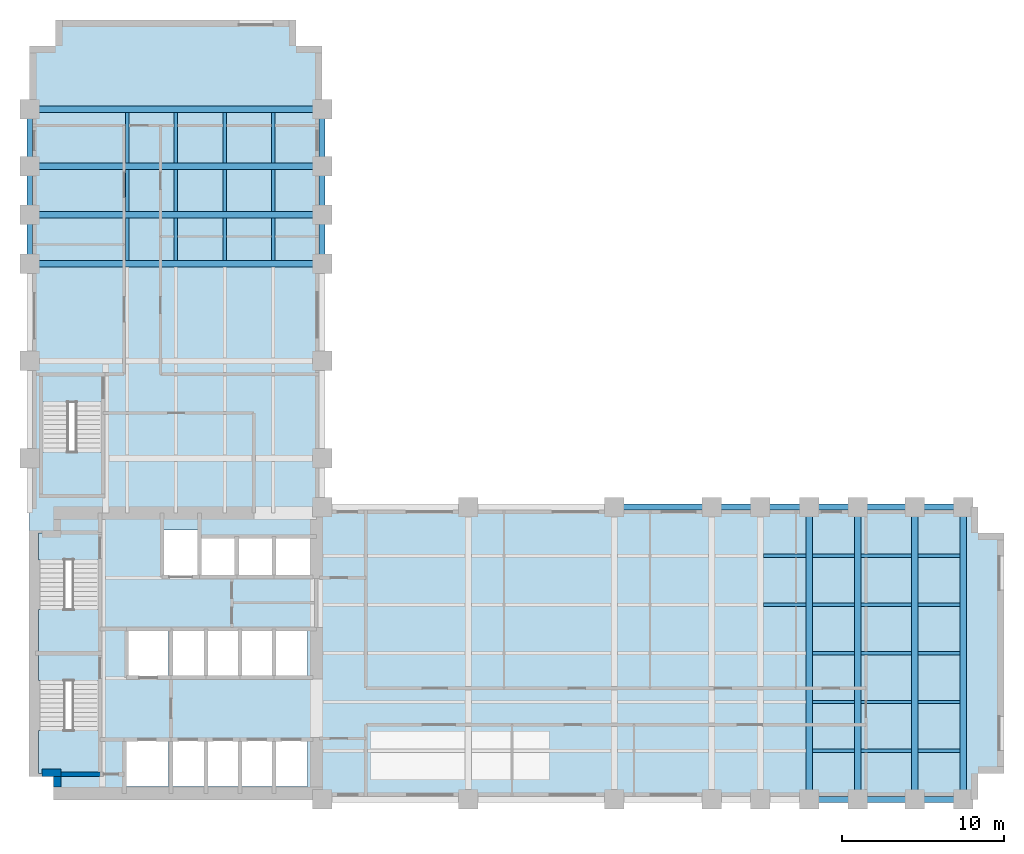
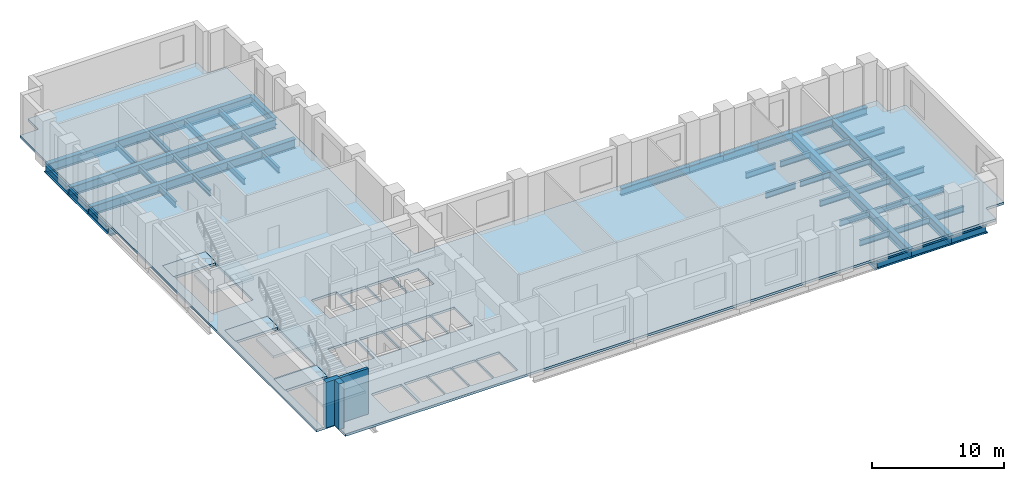
# One storey, part 2 of 7: 52 beams, 7 slabs, 3 walls, 3 elements without a shape of their own.
"""IFC4 building model written with IfcOpenShell, lengths in metres."""

from ifc_helpers import new_model, si_unit, direction, frame, frame_2d, origin, origin_2d, place, context, subcontext, project, spatial, polyline, rectangle, i_section, outline, extrude, material, layer, layer_set, material_profile, profile_set, type_object, element, aggregate, save


model = new_model("IFC4")

# Units and contexts
model_context = context("Model", 3, precision=1e-05, world=origin(), true_north=direction((0.0, 1.0)))
body_context = subcontext(model_context, "Body", "Model", "MODEL_VIEW")
ifc_project = project(units=[si_unit("LENGTHUNIT", "METRE"), si_unit("AREAUNIT", "SQUARE_METRE"), si_unit("VOLUMEUNIT", "CUBIC_METRE"), si_unit("PLANEANGLEUNIT", "RADIAN"), si_unit("MASSUNIT", "GRAM", prefix="KILO")], contexts=[model_context])

# Site, building, storey
site_placement = place(None, origin())
site = spatial("IfcSite", under=ifc_project, at=site_placement, CompositionType="ELEMENT")
building_placement = place(site_placement, origin())
building = spatial("IfcBuilding", under=site, at=building_placement, Name="Mawjdan Bourse Tower", CompositionType="ELEMENT")
storey_placement = place(building_placement, frame((0.0, 0.0, 80.39990234375)))
storey = spatial("IfcBuildingStorey", under=building, at=storey_placement, Name="L18", CompositionType="ELEMENT", Elevation=80.39990234375)

# Beams
ifc_material_1 = material(Name="Structural Steel S355", Category="steel")
ifc_material_profile_1 = material_profile(ifc_material_1, i_section(OverallWidth=0.39892578125, OverallDepth=0.85595703125, WebThickness=0.018310546875, FlangeThickness=0.029296875, FilletRadius=0.0234375, at=origin_2d()), Name="W33X201")
ifc_profile_set_1 = profile_set([ifc_material_profile_1], Name="Structural Steel S355")
beam_type_1 = type_object("IfcBeamType", Name="GRD-W33X201", PredefinedType="BEAM", material=ifc_profile_set_1)
for number, where, z_axis, x_axis, name in (
    (1, (54.0, 3.0, -0.64794921875), (0.0, 1.0, 0.0), (-1.0, 0.0, 0.0), "L18 East Wing Clear-Span Girder 006"),
    (2, (57.0, 3.0, -0.64794921875), (0.0, 1.0, 0.0), (-1.0, 0.0, 0.0), "L18 East Wing Clear-Span Girder 007"),
    (3, (60.5, 3.0, -0.64794921875), (0.0, 1.0, 0.0), (-1.0, 0.0, 0.0), "L18 East Wing Clear-Span Girder 008"),
    (4, (63.5, 3.0, -0.64794921875), (0.0, 1.0, 0.0), (-1.0, 0.0, 0.0), "L18 East Wing Clear-Span Girder 009"),
    (5, (6.0, 36.0, -0.64794921875), (1.0, 0.0, 0.0), (0.0, 1.0, 0.0), "L18 North Wing Clear-Span Girder 073"),
    (6, (6.0, 39.0, -0.64794921875), (1.0, 0.0, 0.0), (0.0, 1.0, 0.0), "L18 North Wing Clear-Span Girder 074"),
    (7, (6.0, 42.0, -0.64794921875), (1.0, 0.0, 0.0), (0.0, 1.0, 0.0), "L18 North Wing Clear-Span Girder 075"),
    (8, (6.0, 45.5, -0.64794921875), (1.0, 0.0, 0.0), (0.0, 1.0, 0.0), "L18 North Wing Clear-Span Girder 076"),
):
    element("IfcBeam", number, at=place(storey_placement, frame(where, z_axis=z_axis, x_axis=x_axis)), inside=storey, type_object=beam_type_1, Name=name, PredefinedType="BEAM", context=body_context, shape_type="SweptSolid", body=[
        extrude(i_section(OverallWidth=0.39892578125, OverallDepth=0.85595703125, WebThickness=0.018310546875, FlangeThickness=0.029296875, FilletRadius=0.0234375, at=origin_2d()), origin(), (0.0, 0.0, 1.0), 18.0),
    ])
ifc_material_profile_2 = material_profile(ifc_material_1, i_section(OverallWidth=0.2119140625, OverallDepth=0.5439453125, WebThickness=0.01318359375, FlangeThickness=0.021240234375, FilletRadius=0.01708984375, at=origin_2d()), Name="W21X83")
ifc_profile_set_2 = profile_set([ifc_material_profile_2], Name="Structural Steel S355")
beam_type_2 = type_object("IfcBeamType", Name="JST-W21X83", PredefinedType="JOIST", material=ifc_profile_set_2)
beam_1_placement = place(storey_placement, frame((54.197509765625, 6.0, -0.491943359375), z_axis=(1.0, 0.0, 0.0), x_axis=(0.0, 1.0, 0.0)))
element("IfcBeam", 9, at=beam_1_placement, inside=storey, type_object=beam_type_2, Name="L18 East Wing Composite Joist 031", PredefinedType="JOIST", context=body_context, shape_type="SweptSolid", body=[
    extrude(i_section(OverallWidth=0.2119140625, OverallDepth=0.5439453125, WebThickness=0.01318359375, FlangeThickness=0.021240234375, FilletRadius=0.01708984375, at=origin_2d()), origin(), (0.0, 0.0, 1.0), 2.60498046875),
])
beam_2_placement = place(storey_placement, frame((57.197509765625, 6.0, -0.491943359375), z_axis=(1.0, 0.0, 0.0), x_axis=(0.0, 1.0, 0.0)))
element("IfcBeam", 10, at=beam_2_placement, inside=storey, type_object=beam_type_2, Name="L18 East Wing Composite Joist 032", PredefinedType="JOIST", context=body_context, shape_type="SweptSolid", body=[
    extrude(i_section(OverallWidth=0.2119140625, OverallDepth=0.5439453125, WebThickness=0.01318359375, FlangeThickness=0.021240234375, FilletRadius=0.01708984375, at=origin_2d()), origin(), (0.0, 0.0, 1.0), 3.10498046875),
])
for number, where, z_axis, x_axis, name in (
    (11, (60.697509765625, 6.0, -0.491943359375), (1.0, 0.0, 0.0), (0.0, 1.0, 0.0), "L18 East Wing Composite Joist 033"),
    (12, (54.197509765625, 9.0, -0.491943359375), (1.0, 0.0, 0.0), (0.0, 1.0, 0.0), "L18 East Wing Composite Joist 039"),
):
    element("IfcBeam", number, at=place(storey_placement, frame(where, z_axis=z_axis, x_axis=x_axis)), inside=storey, type_object=beam_type_2, Name=name, PredefinedType="JOIST", context=body_context, shape_type="SweptSolid", body=[
        extrude(i_section(OverallWidth=0.2119140625, OverallDepth=0.5439453125, WebThickness=0.01318359375, FlangeThickness=0.021240234375, FilletRadius=0.01708984375, at=origin_2d()), origin(), (0.0, 0.0, 1.0), 2.60498046875),
    ])
beam_3_placement = place(storey_placement, frame((57.197509765625, 9.0, -0.491943359375), z_axis=(1.0, 0.0, 0.0), x_axis=(0.0, 1.0, 0.0)))
element("IfcBeam", 13, at=beam_3_placement, inside=storey, type_object=beam_type_2, Name="L18 East Wing Composite Joist 040", PredefinedType="JOIST", context=body_context, shape_type="SweptSolid", body=[
    extrude(i_section(OverallWidth=0.2119140625, OverallDepth=0.5439453125, WebThickness=0.01318359375, FlangeThickness=0.021240234375, FilletRadius=0.01708984375, at=origin_2d()), origin(), (0.0, 0.0, 1.0), 3.10498046875),
])
for number, where, z_axis, x_axis, name in (
    (14, (60.697509765625, 9.0, -0.491943359375), (1.0, 0.0, 0.0), (0.0, 1.0, 0.0), "L18 East Wing Composite Joist 041"),
    (15, (54.197509765625, 12.0, -0.491943359375), (1.0, 0.0, 0.0), (0.0, 1.0, 0.0), "L18 East Wing Composite Joist 047"),
):
    element("IfcBeam", number, at=place(storey_placement, frame(where, z_axis=z_axis, x_axis=x_axis)), inside=storey, type_object=beam_type_2, Name=name, PredefinedType="JOIST", context=body_context, shape_type="SweptSolid", body=[
        extrude(i_section(OverallWidth=0.2119140625, OverallDepth=0.5439453125, WebThickness=0.01318359375, FlangeThickness=0.021240234375, FilletRadius=0.01708984375, at=origin_2d()), origin(), (0.0, 0.0, 1.0), 2.60498046875),
    ])
beam_4_placement = place(storey_placement, frame((57.197509765625, 12.0, -0.491943359375), z_axis=(1.0, 0.0, 0.0), x_axis=(0.0, 1.0, 0.0)))
element("IfcBeam", 16, at=beam_4_placement, inside=storey, type_object=beam_type_2, Name="L18 East Wing Composite Joist 048", PredefinedType="JOIST", context=body_context, shape_type="SweptSolid", body=[
    extrude(i_section(OverallWidth=0.2119140625, OverallDepth=0.5439453125, WebThickness=0.01318359375, FlangeThickness=0.021240234375, FilletRadius=0.01708984375, at=origin_2d()), origin(), (0.0, 0.0, 1.0), 3.10498046875),
])
for number, where, z_axis, x_axis, name in (
    (17, (60.697509765625, 12.0, -0.491943359375), (1.0, 0.0, 0.0), (0.0, 1.0, 0.0), "L18 East Wing Composite Joist 049"),
    (18, (51.197509765625, 15.0, -0.491943359375), (1.0, 0.0, 0.0), (0.0, 1.0, 0.0), "L18 East Wing Composite Joist 054"),
    (19, (54.197509765625, 15.0, -0.491943359375), (1.0, 0.0, 0.0), (0.0, 1.0, 0.0), "L18 East Wing Composite Joist 055"),
):
    element("IfcBeam", number, at=place(storey_placement, frame(where, z_axis=z_axis, x_axis=x_axis)), inside=storey, type_object=beam_type_2, Name=name, PredefinedType="JOIST", context=body_context, shape_type="SweptSolid", body=[
        extrude(i_section(OverallWidth=0.2119140625, OverallDepth=0.5439453125, WebThickness=0.01318359375, FlangeThickness=0.021240234375, FilletRadius=0.01708984375, at=origin_2d()), origin(), (0.0, 0.0, 1.0), 2.60498046875),
    ])
beam_5_placement = place(storey_placement, frame((57.197509765625, 15.0, -0.491943359375), z_axis=(1.0, 0.0, 0.0), x_axis=(0.0, 1.0, 0.0)))
element("IfcBeam", 20, at=beam_5_placement, inside=storey, type_object=beam_type_2, Name="L18 East Wing Composite Joist 056", PredefinedType="JOIST", context=body_context, shape_type="SweptSolid", body=[
    extrude(i_section(OverallWidth=0.2119140625, OverallDepth=0.5439453125, WebThickness=0.01318359375, FlangeThickness=0.021240234375, FilletRadius=0.01708984375, at=origin_2d()), origin(), (0.0, 0.0, 1.0), 3.10498046875),
])
for number, where, z_axis, x_axis, name in (
    (21, (60.697509765625, 15.0, -0.491943359375), (1.0, 0.0, 0.0), (0.0, 1.0, 0.0), "L18 East Wing Composite Joist 057"),
    (22, (51.197509765625, 18.0, -0.491943359375), (1.0, 0.0, 0.0), (0.0, 1.0, 0.0), "L18 East Wing Composite Joist 062"),
    (23, (54.197509765625, 18.0, -0.491943359375), (1.0, 0.0, 0.0), (0.0, 1.0, 0.0), "L18 East Wing Composite Joist 063"),
):
    element("IfcBeam", number, at=place(storey_placement, frame(where, z_axis=z_axis, x_axis=x_axis)), inside=storey, type_object=beam_type_2, Name=name, PredefinedType="JOIST", context=body_context, shape_type="SweptSolid", body=[
        extrude(i_section(OverallWidth=0.2119140625, OverallDepth=0.5439453125, WebThickness=0.01318359375, FlangeThickness=0.021240234375, FilletRadius=0.01708984375, at=origin_2d()), origin(), (0.0, 0.0, 1.0), 2.60498046875),
    ])
beam_6_placement = place(storey_placement, frame((57.197509765625, 18.0, -0.491943359375), z_axis=(1.0, 0.0, 0.0), x_axis=(0.0, 1.0, 0.0)))
element("IfcBeam", 24, at=beam_6_placement, inside=storey, type_object=beam_type_2, Name="L18 East Wing Composite Joist 064", PredefinedType="JOIST", context=body_context, shape_type="SweptSolid", body=[
    extrude(i_section(OverallWidth=0.2119140625, OverallDepth=0.5439453125, WebThickness=0.01318359375, FlangeThickness=0.021240234375, FilletRadius=0.01708984375, at=origin_2d()), origin(), (0.0, 0.0, 1.0), 3.10498046875),
])
for number, where, z_axis, x_axis, name in (
    (25, (60.697509765625, 18.0, -0.491943359375), (1.0, 0.0, 0.0), (0.0, 1.0, 0.0), "L18 East Wing Composite Joist 065"),
    (26, (12.0, 36.197509765625, -0.491943359375), (0.0, 1.0, 0.0), (-1.0, 0.0, 0.0), "L18 North Wing Composite Joist 092"),
    (27, (12.0, 39.197509765625, -0.491943359375), (0.0, 1.0, 0.0), (-1.0, 0.0, 0.0), "L18 North Wing Composite Joist 093"),
):
    element("IfcBeam", number, at=place(storey_placement, frame(where, z_axis=z_axis, x_axis=x_axis)), inside=storey, type_object=beam_type_2, Name=name, PredefinedType="JOIST", context=body_context, shape_type="SweptSolid", body=[
        extrude(i_section(OverallWidth=0.2119140625, OverallDepth=0.5439453125, WebThickness=0.01318359375, FlangeThickness=0.021240234375, FilletRadius=0.01708984375, at=origin_2d()), origin(), (0.0, 0.0, 1.0), 2.60498046875),
    ])
beam_7_placement = place(storey_placement, frame((12.0, 42.197509765625, -0.491943359375), z_axis=(0.0, 1.0, 0.0), x_axis=(-1.0, 0.0, 0.0)))
element("IfcBeam", 28, at=beam_7_placement, inside=storey, type_object=beam_type_2, Name="L18 North Wing Composite Joist 094", PredefinedType="JOIST", context=body_context, shape_type="SweptSolid", body=[
    extrude(i_section(OverallWidth=0.2119140625, OverallDepth=0.5439453125, WebThickness=0.01318359375, FlangeThickness=0.021240234375, FilletRadius=0.01708984375, at=origin_2d()), origin(), (0.0, 0.0, 1.0), 3.10498046875),
])
for number, where, z_axis, x_axis, name in (
    (29, (15.0, 36.197509765625, -0.491943359375), (0.0, 1.0, 0.0), (-1.0, 0.0, 0.0), "L18 North Wing Composite Joist 098"),
    (30, (15.0, 39.197509765625, -0.491943359375), (0.0, 1.0, 0.0), (-1.0, 0.0, 0.0), "L18 North Wing Composite Joist 099"),
):
    element("IfcBeam", number, at=place(storey_placement, frame(where, z_axis=z_axis, x_axis=x_axis)), inside=storey, type_object=beam_type_2, Name=name, PredefinedType="JOIST", context=body_context, shape_type="SweptSolid", body=[
        extrude(i_section(OverallWidth=0.2119140625, OverallDepth=0.5439453125, WebThickness=0.01318359375, FlangeThickness=0.021240234375, FilletRadius=0.01708984375, at=origin_2d()), origin(), (0.0, 0.0, 1.0), 2.60498046875),
    ])
beam_8_placement = place(storey_placement, frame((15.0, 42.197509765625, -0.491943359375), z_axis=(0.0, 1.0, 0.0), x_axis=(-1.0, 0.0, 0.0)))
element("IfcBeam", 31, at=beam_8_placement, inside=storey, type_object=beam_type_2, Name="L18 North Wing Composite Joist 100", PredefinedType="JOIST", context=body_context, shape_type="SweptSolid", body=[
    extrude(i_section(OverallWidth=0.2119140625, OverallDepth=0.5439453125, WebThickness=0.01318359375, FlangeThickness=0.021240234375, FilletRadius=0.01708984375, at=origin_2d()), origin(), (0.0, 0.0, 1.0), 3.10498046875),
])
for number, where, z_axis, x_axis, name in (
    (32, (18.0, 36.197509765625, -0.491943359375), (0.0, 1.0, 0.0), (-1.0, 0.0, 0.0), "L18 North Wing Composite Joist 104"),
    (33, (18.0, 39.197509765625, -0.491943359375), (0.0, 1.0, 0.0), (-1.0, 0.0, 0.0), "L18 North Wing Composite Joist 105"),
):
    element("IfcBeam", number, at=place(storey_placement, frame(where, z_axis=z_axis, x_axis=x_axis)), inside=storey, type_object=beam_type_2, Name=name, PredefinedType="JOIST", context=body_context, shape_type="SweptSolid", body=[
        extrude(i_section(OverallWidth=0.2119140625, OverallDepth=0.5439453125, WebThickness=0.01318359375, FlangeThickness=0.021240234375, FilletRadius=0.01708984375, at=origin_2d()), origin(), (0.0, 0.0, 1.0), 2.60498046875),
    ])
beam_9_placement = place(storey_placement, frame((18.0, 42.197509765625, -0.491943359375), z_axis=(0.0, 1.0, 0.0), x_axis=(-1.0, 0.0, 0.0)))
element("IfcBeam", 34, at=beam_9_placement, inside=storey, type_object=beam_type_2, Name="L18 North Wing Composite Joist 106", PredefinedType="JOIST", context=body_context, shape_type="SweptSolid", body=[
    extrude(i_section(OverallWidth=0.2119140625, OverallDepth=0.5439453125, WebThickness=0.01318359375, FlangeThickness=0.021240234375, FilletRadius=0.01708984375, at=origin_2d()), origin(), (0.0, 0.0, 1.0), 3.10498046875),
])
for number, where, z_axis, x_axis, name in (
    (35, (21.0, 36.197509765625, -0.491943359375), (0.0, 1.0, 0.0), (-1.0, 0.0, 0.0), "L18 North Wing Composite Joist 110"),
    (36, (21.0, 39.197509765625, -0.491943359375), (0.0, 1.0, 0.0), (-1.0, 0.0, 0.0), "L18 North Wing Composite Joist 111"),
):
    element("IfcBeam", number, at=place(storey_placement, frame(where, z_axis=z_axis, x_axis=x_axis)), inside=storey, type_object=beam_type_2, Name=name, PredefinedType="JOIST", context=body_context, shape_type="SweptSolid", body=[
        extrude(i_section(OverallWidth=0.2119140625, OverallDepth=0.5439453125, WebThickness=0.01318359375, FlangeThickness=0.021240234375, FilletRadius=0.01708984375, at=origin_2d()), origin(), (0.0, 0.0, 1.0), 2.60498046875),
    ])
beam_10_placement = place(storey_placement, frame((21.0, 42.197509765625, -0.491943359375), z_axis=(0.0, 1.0, 0.0), x_axis=(-1.0, 0.0, 0.0)))
element("IfcBeam", 37, at=beam_10_placement, inside=storey, type_object=beam_type_2, Name="L18 North Wing Composite Joist 112", PredefinedType="JOIST", context=body_context, shape_type="SweptSolid", body=[
    extrude(i_section(OverallWidth=0.2119140625, OverallDepth=0.5439453125, WebThickness=0.01318359375, FlangeThickness=0.021240234375, FilletRadius=0.01708984375, at=origin_2d()), origin(), (0.0, 0.0, 1.0), 3.10498046875),
])
ifc_material_profile_3 = material_profile(ifc_material_1, i_section(OverallWidth=0.35498046875, OverallDepth=0.696044921875, WebThickness=0.015380859375, FlangeThickness=0.02490234375, FilletRadius=0.019775390625, at=origin_2d()), Name="W27X146")
ifc_profile_set_3 = profile_set([ifc_material_profile_3], Name="Structural Steel S355")
beam_type_3 = type_object("IfcBeamType", Name="SPN-W27X146", PredefinedType="SPANDREL", material=ifc_profile_set_3)
beam_11_placement = place(storey_placement, frame((54.0, 3.0, -0.56787109375), z_axis=(1.0, 0.0, 0.0), x_axis=(0.0, 1.0, 0.0)))
element("IfcBeam", 38, at=beam_11_placement, inside=storey, type_object=beam_type_3, Name="L18 Perimeter Masonry-Shelf Spandrel 015", PredefinedType="SPANDREL", context=body_context, shape_type="SweptSolid", body=[
    extrude(i_section(OverallWidth=0.35498046875, OverallDepth=0.696044921875, WebThickness=0.015380859375, FlangeThickness=0.02490234375, FilletRadius=0.019775390625, at=origin_2d()), origin(), (0.0, 0.0, 1.0), 3.0),
])
beam_12_placement = place(storey_placement, frame((57.0, 3.0, -0.56787109375), z_axis=(1.0, 0.0, 0.0), x_axis=(0.0, 1.0, 0.0)))
element("IfcBeam", 39, at=beam_12_placement, inside=storey, type_object=beam_type_3, Name="L18 Perimeter Masonry-Shelf Spandrel 016", PredefinedType="SPANDREL", context=body_context, shape_type="SweptSolid", body=[
    extrude(i_section(OverallWidth=0.35498046875, OverallDepth=0.696044921875, WebThickness=0.015380859375, FlangeThickness=0.02490234375, FilletRadius=0.019775390625, at=origin_2d()), origin(), (0.0, 0.0, 1.0), 3.5),
])
beam_13_placement = place(storey_placement, frame((60.5, 3.0, -0.56787109375), z_axis=(1.0, 0.0, 0.0), x_axis=(0.0, 1.0, 0.0)))
element("IfcBeam", 40, at=beam_13_placement, inside=storey, type_object=beam_type_3, Name="L18 Perimeter Masonry-Shelf Spandrel 017", PredefinedType="SPANDREL", context=body_context, shape_type="SweptSolid", body=[
    extrude(i_section(OverallWidth=0.35498046875, OverallDepth=0.696044921875, WebThickness=0.015380859375, FlangeThickness=0.02490234375, FilletRadius=0.019775390625, at=origin_2d()), origin(), (0.0, 0.0, 1.0), 3.0),
])
beam_14_placement = place(storey_placement, frame((42.0, 21.0, -0.56787109375), z_axis=(1.0, 0.0, 0.0), x_axis=(0.0, 1.0, 0.0)))
element("IfcBeam", 41, at=beam_14_placement, inside=storey, type_object=beam_type_3, Name="L18 Perimeter Masonry-Shelf Spandrel 020", PredefinedType="SPANDREL", context=body_context, shape_type="SweptSolid", body=[
    extrude(i_section(OverallWidth=0.35498046875, OverallDepth=0.696044921875, WebThickness=0.015380859375, FlangeThickness=0.02490234375, FilletRadius=0.019775390625, at=origin_2d()), origin(), (0.0, 0.0, 1.0), 6.0),
])
for number, where, z_axis, x_axis, name in (
    (42, (48.0, 21.0, -0.56787109375), (1.0, 0.0, 0.0), (0.0, 1.0, 0.0), "L18 Perimeter Masonry-Shelf Spandrel 021"),
    (43, (51.0, 21.0, -0.56787109375), (1.0, 0.0, 0.0), (0.0, 1.0, 0.0), "L18 Perimeter Masonry-Shelf Spandrel 022"),
    (44, (54.0, 21.0, -0.56787109375), (1.0, 0.0, 0.0), (0.0, 1.0, 0.0), "L18 Perimeter Masonry-Shelf Spandrel 023"),
):
    element("IfcBeam", number, at=place(storey_placement, frame(where, z_axis=z_axis, x_axis=x_axis)), inside=storey, type_object=beam_type_3, Name=name, PredefinedType="SPANDREL", context=body_context, shape_type="SweptSolid", body=[
        extrude(i_section(OverallWidth=0.35498046875, OverallDepth=0.696044921875, WebThickness=0.015380859375, FlangeThickness=0.02490234375, FilletRadius=0.019775390625, at=origin_2d()), origin(), (0.0, 0.0, 1.0), 3.0),
    ])
beam_15_placement = place(storey_placement, frame((57.0, 21.0, -0.56787109375), z_axis=(1.0, 0.0, 0.0), x_axis=(0.0, 1.0, 0.0)))
element("IfcBeam", 45, at=beam_15_placement, inside=storey, type_object=beam_type_3, Name="L18 Perimeter Masonry-Shelf Spandrel 024", PredefinedType="SPANDREL", context=body_context, shape_type="SweptSolid", body=[
    extrude(i_section(OverallWidth=0.35498046875, OverallDepth=0.696044921875, WebThickness=0.015380859375, FlangeThickness=0.02490234375, FilletRadius=0.019775390625, at=origin_2d()), origin(), (0.0, 0.0, 1.0), 3.5),
])
for number, where, z_axis, x_axis, name in (
    (46, (60.5, 21.0, -0.56787109375), (1.0, 0.0, 0.0), (0.0, 1.0, 0.0), "L18 Perimeter Masonry-Shelf Spandrel 025"),
    (47, (6.0, 36.0, -0.56787109375), (0.0, 1.0, 0.0), (-1.0, 0.0, 0.0), "L18 North Wing Spandrel 080"),
    (48, (6.0, 39.0, -0.56787109375), (0.0, 1.0, 0.0), (-1.0, 0.0, 0.0), "L18 North Wing Spandrel 081"),
):
    element("IfcBeam", number, at=place(storey_placement, frame(where, z_axis=z_axis, x_axis=x_axis)), inside=storey, type_object=beam_type_3, Name=name, PredefinedType="SPANDREL", context=body_context, shape_type="SweptSolid", body=[
        extrude(i_section(OverallWidth=0.35498046875, OverallDepth=0.696044921875, WebThickness=0.015380859375, FlangeThickness=0.02490234375, FilletRadius=0.019775390625, at=origin_2d()), origin(), (0.0, 0.0, 1.0), 3.0),
    ])
beam_16_placement = place(storey_placement, frame((6.0, 42.0, -0.56787109375), z_axis=(0.0, 1.0, 0.0), x_axis=(-1.0, 0.0, 0.0)))
element("IfcBeam", 49, at=beam_16_placement, inside=storey, type_object=beam_type_3, Name="L18 North Wing Spandrel 082", PredefinedType="SPANDREL", context=body_context, shape_type="SweptSolid", body=[
    extrude(i_section(OverallWidth=0.35498046875, OverallDepth=0.696044921875, WebThickness=0.015380859375, FlangeThickness=0.02490234375, FilletRadius=0.019775390625, at=origin_2d()), origin(), (0.0, 0.0, 1.0), 3.5),
])
for number, where, z_axis, x_axis, name in (
    (50, (24.0, 36.0, -0.56787109375), (0.0, 1.0, 0.0), (-1.0, 0.0, 0.0), "L18 North Wing Spandrel 086"),
    (51, (24.0, 39.0, -0.56787109375), (0.0, 1.0, 0.0), (-1.0, 0.0, 0.0), "L18 North Wing Spandrel 087"),
):
    element("IfcBeam", number, at=place(storey_placement, frame(where, z_axis=z_axis, x_axis=x_axis)), inside=storey, type_object=beam_type_3, Name=name, PredefinedType="SPANDREL", context=body_context, shape_type="SweptSolid", body=[
        extrude(i_section(OverallWidth=0.35498046875, OverallDepth=0.696044921875, WebThickness=0.015380859375, FlangeThickness=0.02490234375, FilletRadius=0.019775390625, at=origin_2d()), origin(), (0.0, 0.0, 1.0), 3.0),
    ])
beam_17_placement = place(storey_placement, frame((24.0, 42.0, -0.56787109375), z_axis=(0.0, 1.0, 0.0), x_axis=(-1.0, 0.0, 0.0)))
element("IfcBeam", 52, at=beam_17_placement, inside=storey, type_object=beam_type_3, Name="L18 North Wing Spandrel 088", PredefinedType="SPANDREL", context=body_context, shape_type="SweptSolid", body=[
    extrude(i_section(OverallWidth=0.35498046875, OverallDepth=0.696044921875, WebThickness=0.015380859375, FlangeThickness=0.02490234375, FilletRadius=0.019775390625, at=origin_2d()), origin(), (0.0, 0.0, 1.0), 3.5),
])

# Stair, slabs
ifc_material_2 = material(Name="Concrete C50/60", Category="concrete")
stair_type = type_object("IfcStairType", Name="STR-CORE-1500", PredefinedType="HALF_TURN_STAIR", material=ifc_material_2)
stair_1_placement = place(storey_placement, origin())
stair_1 = element("IfcStair", 53, at=stair_1_placement, inside=storey, type_object=stair_type, Name="L18 Exit Stair 1 (Core South-West)", PredefinedType="HALF_TURN_STAIR")
ifc_layer_1 = layer(ifc_material_2, 0.22998046875)
ifc_layer_set_1 = layer_set([ifc_layer_1], Name="Concrete C50/60")
slab_type_1 = type_object("IfcSlabType", Name="SL-LND-230", PredefinedType="LANDING", material=ifc_layer_set_1)
slab_1_placement = place(storey_placement, frame((0.0, 0.0, -0.22998046875)))
slab_1 = element("IfcSlab", 54, at=slab_1_placement, type_object=slab_type_1, Name="ST1-L18 landing 1", PredefinedType="LANDING", context=body_context, shape_type="SweptSolid", body=[
    extrude(outline(polyline([(6.5400390625, 10.31005859375), (10.260009765625, 10.31005859375), (10.260009765625, 11.969970703125), (6.5400390625, 11.969970703125), (6.5400390625, 10.31005859375)])), origin(), (0.0, 0.0, 1.0), 0.22998046875),
])
slab_2_placement = place(storey_placement, frame((0.0, 0.0, 1.8701171875)))
slab_2 = element("IfcSlab", 55, at=slab_2_placement, type_object=slab_type_1, Name="ST1-L18 landing 2", PredefinedType="LANDING", context=body_context, shape_type="SweptSolid", body=[
    extrude(outline(polyline([(6.5400390625, 4.590087890625), (10.260009765625, 4.590087890625), (10.260009765625, 7.2548828125), (6.5400390625, 7.2548828125), (6.5400390625, 4.590087890625)])), origin(), (0.0, 0.0, 1.0), 0.22998046875),
])
aggregate(stair_1, [slab_1, slab_2])

stair_2_placement = place(storey_placement, origin())
stair_2 = element("IfcStair", 56, at=stair_2_placement, inside=storey, type_object=stair_type, Name="L18 Exit Stair 2 (Core North-West)", PredefinedType="HALF_TURN_STAIR")
slab_3_placement = place(storey_placement, frame((0.0, 0.0, -0.22998046875)))
slab_3 = element("IfcSlab", 57, at=slab_3_placement, type_object=slab_type_1, Name="ST2-L18 landing 1", PredefinedType="LANDING", context=body_context, shape_type="SweptSolid", body=[
    extrude(outline(polyline([(6.5400390625, 17.75), (10.260009765625, 17.75), (10.260009765625, 19.409912109375), (6.5400390625, 19.409912109375), (6.5400390625, 17.75)])), origin(), (0.0, 0.0, 1.0), 0.22998046875),
])
slab_4_placement = place(storey_placement, frame((0.0, 0.0, 1.8701171875)))
slab_4 = element("IfcSlab", 58, at=slab_4_placement, type_object=slab_type_1, Name="ST2-L18 landing 2", PredefinedType="LANDING", context=body_context, shape_type="SweptSolid", body=[
    extrude(outline(polyline([(6.5400390625, 12.030029296875), (10.260009765625, 12.030029296875), (10.260009765625, 14.695068359375), (6.5400390625, 14.695068359375), (6.5400390625, 12.030029296875)])), origin(), (0.0, 0.0, 1.0), 0.22998046875),
])
aggregate(stair_2, [slab_3, slab_4])

stair_3_placement = place(storey_placement, origin())
stair_3 = element("IfcStair", 59, at=stair_3_placement, inside=storey, type_object=stair_type, Name="L18 Exit Stair 3 (North Wing)", PredefinedType="HALF_TURN_STAIR")
slab_5_placement = place(storey_placement, frame((0.0, 0.0, -0.22998046875)))
slab_5 = element("IfcSlab", 60, at=slab_5_placement, type_object=slab_type_1, Name="ST3-L18 landing 1", PredefinedType="LANDING", context=body_context, shape_type="SweptSolid", body=[
    extrude(outline(polyline([(6.739990234375, 27.4599609375), (10.4599609375, 27.4599609375), (10.4599609375, 29.1201171875), (6.739990234375, 29.1201171875), (6.739990234375, 27.4599609375)])), origin(), (0.0, 0.0, 1.0), 0.22998046875),
])
slab_6_placement = place(storey_placement, frame((0.0, 0.0, 1.8701171875)))
slab_6 = element("IfcSlab", 61, at=slab_6_placement, type_object=slab_type_1, Name="ST3-L18 landing 2", PredefinedType="LANDING", context=body_context, shape_type="SweptSolid", body=[
    extrude(outline(polyline([(6.739990234375, 21.739990234375), (10.4599609375, 21.739990234375), (10.4599609375, 24.405029296875), (6.739990234375, 24.405029296875), (6.739990234375, 21.739990234375)])), origin(), (0.0, 0.0, 1.0), 0.22998046875),
])
aggregate(stair_3, [slab_5, slab_6])

# Slab
ifc_layer_2 = layer(ifc_material_2, 0.219970703125)
ifc_layer_set_2 = layer_set([ifc_layer_2], Name="Concrete C50/60")
slab_type_2 = type_object("IfcSlabType", Name="SL-TRD-220", PredefinedType="FLOOR", material=ifc_layer_set_2)
slab_7_placement = place(storey_placement, frame((0.0, 0.0, -0.219970703125)))
element("IfcSlab", 62, at=slab_7_placement, inside=storey, type_object=slab_type_2, Name="L18 Structural Floor Slab 1", PredefinedType="FLOOR", context=body_context, shape_type="SweptSolid", body=[
    extrude(outline(polyline([(7.60009765625, 3.0), (64.39990234375, 3.0), (64.39990234375, 4.60009765625), (66.0, 4.60009765625), (66.0, 19.39990234375), (64.39990234375, 19.39990234375), (64.39990234375, 21.0), (24.0, 21.0), (24.0, 49.39990234375), (22.39990234375, 49.39990234375), (22.39990234375, 51.0), (7.60009765625, 51.0), (7.60009765625, 49.39990234375), (6.0, 49.39990234375), (6.0, 4.60009765625), (7.60009765625, 4.60009765625), (7.60009765625, 3.0)]), holes=[polyline([(11.949951171875, 3.800048828125), (11.949951171875, 6.60009765625), (14.550048828125, 6.60009765625), (14.550048828125, 3.800048828125), (11.949951171875, 3.800048828125)]), polyline([(14.800048828125, 3.800048828125), (14.800048828125, 6.60009765625), (16.800048828125, 6.60009765625), (16.800048828125, 3.800048828125), (14.800048828125, 3.800048828125)]), polyline([(10.260009765625, 11.969970703125), (10.260009765625, 10.31005859375), (10.199951171875, 10.31005859375), (10.199951171875, 4.64990234375), (6.60009765625, 4.64990234375), (6.60009765625, 10.31005859375), (6.5400390625, 10.31005859375), (6.5400390625, 11.969970703125), (10.260009765625, 11.969970703125)]), polyline([(12.050048828125, 13.39990234375), (14.550048828125, 13.39990234375), (14.550048828125, 10.60009765625), (12.050048828125, 10.60009765625), (12.050048828125, 13.39990234375)]), polyline([(6.60009765625, 17.75), (6.5400390625, 17.75), (6.5400390625, 19.409912109375), (10.260009765625, 19.409912109375), (10.260009765625, 17.75), (10.199951171875, 17.75), (10.199951171875, 12.090087890625), (6.60009765625, 12.090087890625), (6.60009765625, 17.75)]), polyline([(14.199951171875, 16.800048828125), (14.199951171875, 19.60009765625), (16.39990234375, 19.60009765625), (16.39990234375, 16.800048828125), (14.199951171875, 16.800048828125)]), polyline([(10.4599609375, 27.4599609375), (10.39990234375, 27.4599609375), (10.39990234375, 21.800048828125), (6.800048828125, 21.800048828125), (6.800048828125, 27.4599609375), (6.739990234375, 27.4599609375), (6.739990234375, 29.1201171875), (10.4599609375, 29.1201171875), (10.4599609375, 27.4599609375)]), polyline([(16.89990234375, 3.800048828125), (16.89990234375, 6.60009765625), (18.89990234375, 6.60009765625), (18.89990234375, 3.800048828125), (16.89990234375, 3.800048828125)]), polyline([(19.0, 3.800048828125), (19.0, 6.60009765625), (21.0, 6.60009765625), (21.0, 3.800048828125), (19.0, 3.800048828125)]), polyline([(21.10009765625, 3.800048828125), (21.10009765625, 6.60009765625), (23.10009765625, 6.60009765625), (23.10009765625, 3.800048828125), (21.10009765625, 3.800048828125)]), polyline([(14.800048828125, 13.39990234375), (16.800048828125, 13.39990234375), (16.800048828125, 10.60009765625), (14.800048828125, 10.60009765625), (14.800048828125, 13.39990234375)]), polyline([(16.89990234375, 13.39990234375), (18.89990234375, 13.39990234375), (18.89990234375, 10.60009765625), (16.89990234375, 10.60009765625), (16.89990234375, 13.39990234375)]), polyline([(19.0, 10.60009765625), (19.0, 13.39990234375), (21.0, 13.39990234375), (21.0, 10.60009765625), (19.0, 10.60009765625)]), polyline([(21.10009765625, 10.60009765625), (21.10009765625, 13.39990234375), (23.10009765625, 13.39990234375), (23.10009765625, 10.60009765625), (21.10009765625, 10.60009765625)]), polyline([(16.5, 16.800048828125), (16.5, 19.14990234375), (18.699951171875, 19.14990234375), (18.699951171875, 16.800048828125), (16.5, 16.800048828125)]), polyline([(18.800048828125, 19.14990234375), (21.0, 19.14990234375), (21.0, 16.800048828125), (18.800048828125, 16.800048828125), (18.800048828125, 19.14990234375)]), polyline([(21.10009765625, 19.14990234375), (23.300048828125, 19.14990234375), (23.300048828125, 16.800048828125), (21.10009765625, 16.800048828125), (21.10009765625, 19.14990234375)])]), origin(), (0.0, 0.0, 1.0), 0.219970703125),
])

# Walls
ifc_material_3 = material(Name="Concrete C60/75", Category="concrete")
ifc_layer_3 = layer(ifc_material_3, 0.449951171875)
ifc_layer_set_3 = layer_set([ifc_layer_3], Name="Concrete C60/75")
wall_type_1 = type_object("IfcWallType", Name="WL-CORE-450", PredefinedType="SHEAR", material=ifc_layer_set_3)
wall_1_placement = place(storey_placement, frame((6.75, 4.64990234375, 0.0), z_axis=(0.0, 0.0, 1.0), x_axis=(1.0, 0.0, 0.0)))
element("IfcWall", 63, at=wall_1_placement, inside=storey, type_object=wall_type_1, Name="L18 Rear Core Shear Wall SW-X", PredefinedType="SHEAR", context=body_context, shape_type="SweptSolid", body=[
    extrude(rectangle(XDim=1.175048828125, YDim=0.449951171875, at=frame_2d((0.58740234375, 0.0))), origin(), (0.0, 0.0, 1.0), 4.2001953125),
])
wall_2_placement = place(storey_placement, frame((7.699951171875, 3.75, 0.0), z_axis=(0.0, 0.0, 1.0), x_axis=(0.0, 1.0, 0.0)))
element("IfcWall", 64, at=wall_2_placement, inside=storey, type_object=wall_type_1, Name="L18 Rear Core Shear Wall SW-Y", PredefinedType="SHEAR", context=body_context, shape_type="SweptSolid", body=[
    extrude(rectangle(XDim=0.675048828125, YDim=0.449951171875, at=frame_2d((0.33740234375, 0.0))), origin(), (0.0, 0.0, 1.0), 4.2001953125),
])
ifc_layer_4 = layer(ifc_material_2, 0.25)
ifc_layer_set_4 = layer_set([ifc_layer_4], Name="Concrete C50/60")
wall_type_2 = type_object("IfcWallType", Name="WL-STRW-250", PredefinedType="SHEAR", material=ifc_layer_set_4)
wall_3_placement = place(storey_placement, frame((7.699951171875, 4.550048828125, 0.0), z_axis=(0.0, 0.0, 1.0), x_axis=(1.0, 0.0, 0.0)))
element("IfcWall", 65, at=wall_3_placement, inside=storey, type_object=wall_type_2, Name="L18 Stairwell ST1 South Shaft Wall", PredefinedType="SHEAR", context=body_context, shape_type="SweptSolid", body=[
    extrude(rectangle(XDim=2.755126953125, YDim=0.25, at=frame_2d((1.37744140625, 0.0))), origin(), (0.0, 0.0, 1.0), 4.2001953125),
])

save(model, "model.ifc")
